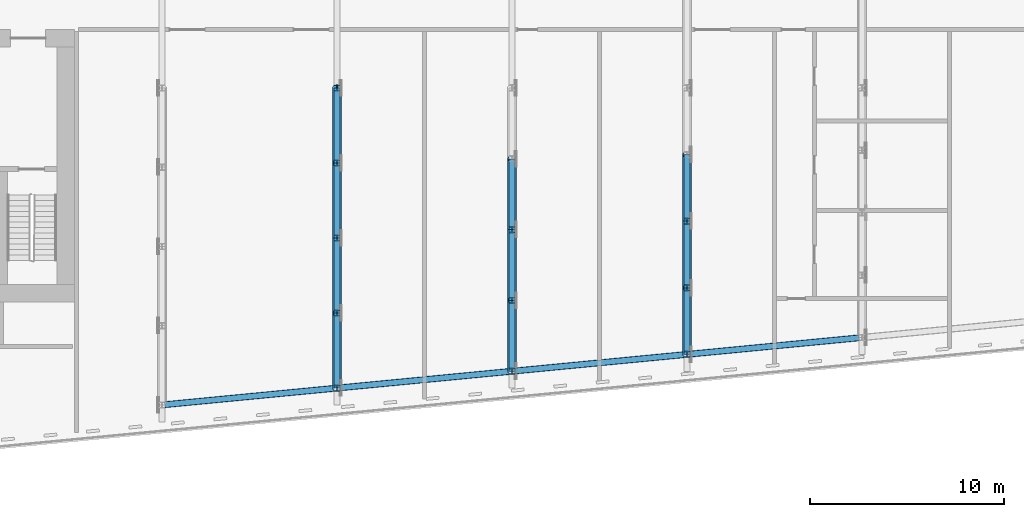
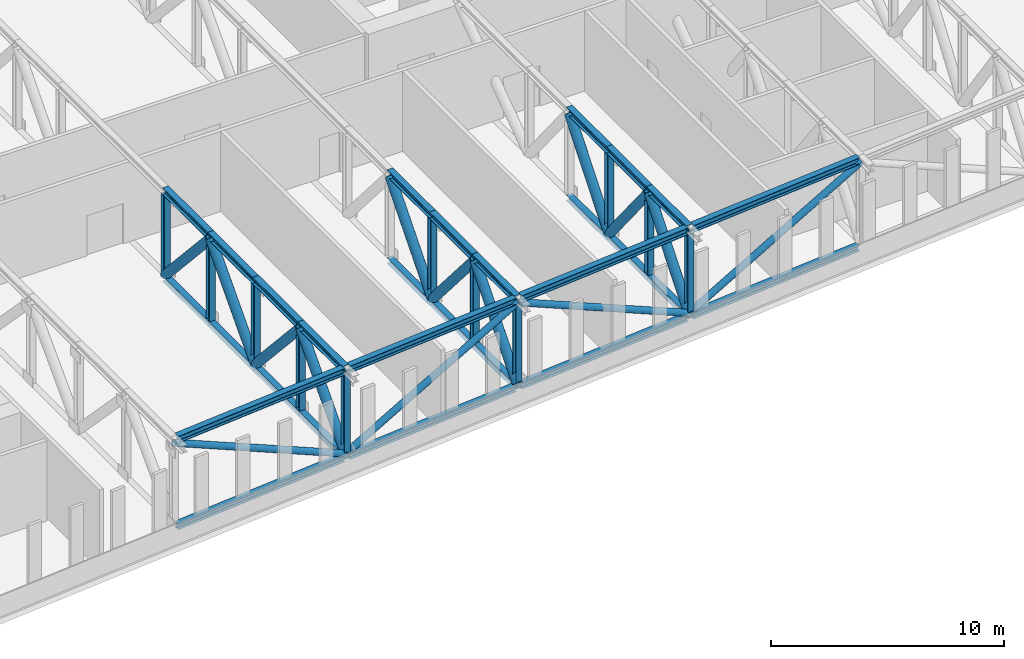
# One storey, part 2 of 22: 53 members.
"""IFC4 building model written with IfcOpenShell, lengths in metres."""

import ifcopenshell
import ifcopenshell.guid

model = None  # the IFC model being written
_history = None  # IfcOwnerHistory: only IFC2X3 demands one
_inside = {}  # id of a spatial element -> (the spatial element, [elements in it])
_under = {}  # id of a project, library or spatial element -> (it, [spatial elements below it])
_declared = {}  # id of a project -> (the project, [libraries it declares])
_typed = {}  # id of a type object -> (the type object, [elements of that type])
_made_of = {}  # id of a material, layer set ... -> (it, [elements and type objects made of it])


def new_model(schema):
    """Start an empty IFC model of exactly this schema.

    Asked for "IFC4X3", IfcOpenShell would pick the latest addendum, in which some entities
    have other attributes; the version numbers below select the first issue.
    IFC2X3 requires an IfcOwnerHistory on every rooted entity: one is made here for all.
    """
    global model, _history
    if schema == "IFC4X3":
        model = ifcopenshell.file(schema_version=(4, 3, 0, 0))
    else:
        model = ifcopenshell.file(schema=schema)
    _inside.clear()
    _under.clear()
    _declared.clear()
    _typed.clear()
    _made_of.clear()
    _history = None
    if model.schema == "IFC2X3":
        org = make("IfcOrganization", Name="unknown")
        user = make(
            "IfcPersonAndOrganization",
            ThePerson=make("IfcPerson", FamilyName="unknown"),
            TheOrganization=org,
        )
        app = make(
            "IfcApplication",
            ApplicationDeveloper=org,
            Version="unknown",
            ApplicationFullName="unknown",
            ApplicationIdentifier="unknown",
        )
        _history = make(
            "IfcOwnerHistory",
            OwningUser=user,
            OwningApplication=app,
            ChangeAction="ADDED",
            CreationDate=0,
        )
    return model


def make(cls, **values):
    """One entity of the class cls with the attributes given. An attribute that is None is left unset."""
    return model.create_entity(
        cls, **{name: value for name, value in values.items() if value is not None}
    )


def rooted(cls, **values):
    """An entity with a GlobalId (a new one), such as an element, a storey or a relation."""
    return make(cls, GlobalId=ifcopenshell.guid.new(), OwnerHistory=_history, **values)


def si_unit(unit_type, name, prefix=None):
    """IfcSIUnit, for example si_unit("LENGTHUNIT", "METRE", prefix="MILLI")."""
    return make("IfcSIUnit", UnitType=unit_type, Prefix=prefix, Name=name)


def assignment(units):
    """IfcUnitAssignment: the units of a project."""
    return None if units is None else make("IfcUnitAssignment", Units=units)


def point(xyz):
    """IfcCartesianPoint."""
    return None if xyz is None else make("IfcCartesianPoint", Coordinates=xyz)


def direction(xyz):
    """IfcDirection."""
    return None if xyz is None else make("IfcDirection", DirectionRatios=xyz)


def frame(location, z_axis=None, x_axis=None):
    """IfcAxis2Placement3D, a coordinate frame: its origin and axes. An axis left out is left unset."""
    return make(
        "IfcAxis2Placement3D",
        Location=point(location),
        Axis=direction(z_axis),
        RefDirection=direction(x_axis),
    )


def frame_2d(location, x_axis=None):
    """IfcAxis2Placement2D, a coordinate frame in the plane: its origin and x axis."""
    return make(
        "IfcAxis2Placement2D", Location=point(location), RefDirection=direction(x_axis)
    )


def origin():
    """The frame at (0, 0, 0) with its axes left unset."""
    return frame((0.0, 0.0, 0.0))


def origin_2d():
    """The frame at (0, 0) in the plane with its x axis left unset."""
    return frame_2d((0.0, 0.0))


def place(relative_to, where):
    """IfcLocalPlacement: puts the frame where relative to a parent placement (None: the world)."""
    return make(
        "IfcLocalPlacement", PlacementRelTo=relative_to, RelativePlacement=where
    )


def context(
    kind, dimensions, precision=None, world=None, true_north=None, identifier=None
):
    """IfcGeometricRepresentationContext, for example the 3D "Model" context."""
    return make(
        "IfcGeometricRepresentationContext",
        ContextIdentifier=identifier,
        ContextType=kind,
        CoordinateSpaceDimension=dimensions,
        Precision=precision,
        WorldCoordinateSystem=world,
        TrueNorth=true_north,
    )


def subcontext(parent, identifier, kind, view, scale=None):
    """IfcGeometricRepresentationSubContext, for example "Body" below "Model"."""
    return make(
        "IfcGeometricRepresentationSubContext",
        ContextIdentifier=identifier,
        ContextType=kind,
        ParentContext=parent,
        TargetScale=scale,
        TargetView=view,
    )


def project(units=None, contexts=None):
    """IfcProject with its units and contexts."""
    return rooted(
        "IfcProject",
        Name="project",
        RepresentationContexts=contexts,
        UnitsInContext=assignment(units),
    )


def spatial(cls, under=None, at=None, **own):
    """A site, building, storey or space (cls), placed at a placement, below another one or the project."""
    s = rooted(cls, ObjectPlacement=at, **own)
    if under is not None:
        _under.setdefault(under.id(), (under, []))[1].append(s)
    return s


def profile(cls, at=None, kind="AREA", **sizes):
    """A parametric profile (cls). Its sizes go by their IFC names, for example OverallWidth=200.0."""
    return make(cls, ProfileType=kind, Position=at, **sizes)


def hollow_circle(**sizes):
    """IfcCircleHollowProfileDef."""
    return profile("IfcCircleHollowProfileDef", **sizes)


def i_section(**sizes):
    """IfcIShapeProfileDef."""
    return profile("IfcIShapeProfileDef", **sizes)


def extrude(swept, where, along, depth):
    """IfcExtrudedAreaSolid: the profile swept, set in the frame where, extruded along a direction by depth."""
    return make(
        "IfcExtrudedAreaSolid",
        SweptArea=swept,
        Position=where,
        ExtrudedDirection=direction(along),
        Depth=depth,
    )


def shape(context_of_items, identifier, shape_type, items):
    """IfcShapeRepresentation: the items that make up one representation, for example the "Body"."""
    return make(
        "IfcShapeRepresentation",
        ContextOfItems=context_of_items,
        RepresentationIdentifier=identifier,
        RepresentationType=shape_type,
        Items=items,
    )


def material(Name=None, Category=None):
    """IfcMaterial."""
    return make("IfcMaterial", Name=Name, Category=Category)


def material_profile(
    of_material, cross_section, Name=None, Category=None, Priority=None
):
    """IfcMaterialProfile: a cross section and its material."""
    return make(
        "IfcMaterialProfile",
        Name=Name,
        Material=of_material,
        Profile=cross_section,
        Priority=Priority,
        Category=Category,
    )


def profile_set(profiles, Name=None, composite=None):
    """IfcMaterialProfileSet."""
    return make(
        "IfcMaterialProfileSet",
        Name=Name,
        MaterialProfiles=profiles,
        CompositeProfile=composite,
    )


def made_of(thing, what):
    """Note that an element or type object is made of a material, layer set ...; save() writes the relation."""
    if what is not None:
        _made_of.setdefault(what.id(), (what, []))[1].append(thing)
    return thing


def type_object(cls, material=None, **own):
    """A type object (cls), such as IfcWallType, which elements share."""
    return made_of(rooted(cls, **own), material)


def element(
    cls,
    number,
    at=None,
    inside=None,
    cuts=None,
    type_object=None,
    material=None,
    context=None,
    identifier="Body",
    shape_type=None,
    held_by="IfcProductDefinitionShape",
    body=None,
    shapes=None,
    **own,
):
    """One element of the class cls, such as IfcWall. Its Tag is "e" and its number.

    at: its placement. inside: the storey or other place that contains it. cuts: it is an
    opening in that element (IfcRelVoidsElement). A single representation is given by context,
    identifier, shape_type and body (its items); several are given by shapes. held_by: the class
    of the entity that holds the representations. save() writes the other relations.
    """
    e = rooted(cls, Tag="e%d" % number, ObjectPlacement=at, **own)
    if body is not None:
        shapes = [shape(context, identifier, shape_type, body)]
    if shapes is not None:
        e.Representation = make(held_by, Representations=shapes)
    if inside is not None:
        _inside.setdefault(inside.id(), (inside, []))[1].append(e)
    if cuts is not None:
        rooted(
            "IfcRelVoidsElement", RelatingBuildingElement=cuts, RelatedOpeningElement=e
        )
    if type_object is not None:
        _typed.setdefault(type_object.id(), (type_object, []))[1].append(e)
    return made_of(e, material)


def aggregate(whole, parts):
    """IfcRelAggregates: a whole, such as a stair, and the parts it consists of."""
    return rooted("IfcRelAggregates", RelatingObject=whole, RelatedObjects=parts)


def save(model, path):
    """Write the relations noted so far, then the file.

    IfcRelAggregates (storeys below a building ...), IfcRelContainedInSpatialStructure (elements
    in a storey), IfcRelDefinesByType, IfcRelAssociatesMaterial and IfcRelDeclares: one each for
    every whole, place, type object, material and project.
    """
    for whole, parts in _under.values():
        aggregate(whole, parts)
    for where, things in _inside.values():
        rooted(
            "IfcRelContainedInSpatialStructure",
            RelatedElements=things,
            RelatingStructure=where,
        )
    for kind, things in _typed.values():
        rooted("IfcRelDefinesByType", RelatedObjects=things, RelatingType=kind)
    for what, things in _made_of.values():
        rooted("IfcRelAssociatesMaterial", RelatedObjects=things, RelatingMaterial=what)
    for by, libraries in _declared.values():
        rooted("IfcRelDeclares", RelatingContext=by, RelatedDefinitions=libraries)
    model.write(path)


model = new_model("IFC4")

# Units and contexts
model_context = context("Model", 3, precision=1e-05, world=origin(), true_north=direction((0.0, 1.0)))
body_context = subcontext(model_context, "Body", "Model", "MODEL_VIEW")
ifc_project = project(units=[si_unit("LENGTHUNIT", "METRE"), si_unit("AREAUNIT", "SQUARE_METRE"), si_unit("VOLUMEUNIT", "CUBIC_METRE"), si_unit("PLANEANGLEUNIT", "RADIAN"), si_unit("MASSUNIT", "GRAM", prefix="KILO")], contexts=[model_context])

# Site, building, storey
site_placement = place(None, origin())
site = spatial("IfcSite", under=ifc_project, at=site_placement, CompositionType="ELEMENT")
building_placement = place(site_placement, origin())
building = spatial("IfcBuilding", under=site, at=building_placement, Name="Kajstack Hotel Tower", CompositionType="ELEMENT")
storey_placement = place(building_placement, frame((0.0, 0.0, 150.39990234375)))
storey = spatial("IfcBuildingStorey", under=building, at=storey_placement, Name="L35", CompositionType="ELEMENT", Elevation=150.39990234375)

# Members
ifc_material = material(Name="Steel S355J2", Category="steel")
ifc_material_profile_1 = material_profile(ifc_material, i_section(OverallWidth=0.300048828125, OverallDepth=0.2900390625, WebThickness=0.008544921875, FlangeThickness=0.013916015625, FilletRadius=0.027099609375, at=origin_2d()), Name="HEA 300")
ifc_profile_set_1 = profile_set([ifc_material_profile_1], Name="Steel S355J2")
member_type_1 = type_object("IfcMemberType", Name="Belt truss bottom chord BB3 HEA 300", PredefinedType="CHORD", material=ifc_profile_set_1)
for number, where, z_axis, x_axis, name in (
    (1, (-8.8505859375, -20.78466796875, -0.14501953125), (0.995398174412, 0.095825228294, 0.0), (-0.095825228294, 0.995398174412, 0.0), "S-belt-truss-L35-s04-b"),
    (2, (0.1494140625, -19.918212890625, -0.14501953125), (0.995395510024, 0.095852900965, 0.0), (-0.095852900965, 0.995395510024, 0.0), "S-belt-truss-L35-s05-b"),
    (3, (9.1494140625, -19.051513671875, -0.14501953125), (0.995395510024, 0.095852900965, 0.0), (-0.095852900965, 0.995395510024, 0.0), "S-belt-truss-L35-s06-b"),
    (4, (18.1494140625, -18.184814453125, -0.14501953125), (0.995398174412, 0.095825228294, 0.0), (-0.095825228294, 0.995398174412, 0.0), "S-belt-truss-L35-s07-b"),
):
    element("IfcMember", number, at=place(storey_placement, frame(where, z_axis=z_axis, x_axis=x_axis)), inside=storey, type_object=member_type_1, Name=name, PredefinedType="CHORD", context=body_context, shape_type="SweptSolid", body=[
        extrude(i_section(OverallWidth=0.300048828125, OverallDepth=0.2900390625, WebThickness=0.008544921875, FlangeThickness=0.013916015625, FilletRadius=0.027099609375, at=origin_2d()), origin(), (0.0, 0.0, 1.0), 8.741455078125),
    ])
ifc_material_profile_2 = material_profile(ifc_material, i_section(OverallWidth=0.300048828125, OverallDepth=0.2900390625, WebThickness=0.008544921875, FlangeThickness=0.013916015625, FilletRadius=0.027099609375, at=origin_2d()), Name="HEA 300")
ifc_profile_set_2 = profile_set([ifc_material_profile_2], Name="Steel S355J2")
member_type_2 = type_object("IfcMemberType", Name="Belt truss bottom chord BC3 HEA 300", PredefinedType="CHORD", material=ifc_profile_set_2)
for number, where, z_axis, x_axis, name in (
    (5, (0.0, -19.9326171875, -0.14501953125), (0.0, 1.0, 0.0), (-1.0, 0.0, 0.0), "S-belt-truss-L35-+0p0-1-bc12"),
    (6, (0.0, -16.074462890625, -0.14501953125), (0.0, 1.0, 0.0), (-1.0, 0.0, 0.0), "S-belt-truss-L35-+0p0-1-bc13"),
    (7, (0.0, -12.21630859375, -0.14501953125), (0.0, 1.0, 0.0), (-1.0, 0.0, 0.0), "S-belt-truss-L35-+0p0-1-bc14"),
    (8, (0.0, -8.358154296875, -0.14501953125), (0.0, 1.0, 0.0), (-1.0, 0.0, 0.0), "S-belt-truss-L35-+0p0-1-bc15"),
):
    element("IfcMember", number, at=place(storey_placement, frame(where, z_axis=z_axis, x_axis=x_axis)), inside=storey, type_object=member_type_2, Name=name, PredefinedType="CHORD", context=body_context, shape_type="SweptSolid", body=[
        extrude(i_section(OverallWidth=0.300048828125, OverallDepth=0.2900390625, WebThickness=0.008544921875, FlangeThickness=0.013916015625, FilletRadius=0.027099609375, at=origin_2d()), origin(), (0.0, 0.0, 1.0), 3.858154296875),
    ])
member_1_placement = place(storey_placement, frame((9.0, -19.06591796875, -0.14501953125), z_axis=(0.0, 1.0, 0.0), x_axis=(-1.0, 0.0, 0.0)))
element("IfcMember", 9, at=member_1_placement, inside=storey, type_object=member_type_2, Name="S-belt-truss-L35-+9p0-1-bc12", PredefinedType="CHORD", context=body_context, shape_type="SweptSolid", body=[
    extrude(i_section(OverallWidth=0.300048828125, OverallDepth=0.2900390625, WebThickness=0.008544921875, FlangeThickness=0.013916015625, FilletRadius=0.027099609375, at=origin_2d()), origin(), (0.0, 0.0, 1.0), 3.6416015625),
])
for number, where, z_axis, x_axis, name in (
    (10, (9.0, -15.42431640625, -0.14501953125), (0.0, 1.0, 0.0), (-1.0, 0.0, 0.0), "S-belt-truss-L35-+9p0-1-bc13"),
    (11, (9.0, -11.782958984375, -0.14501953125), (0.0, 1.0, 0.0), (-1.0, 0.0, 0.0), "S-belt-truss-L35-+9p0-1-bc14"),
):
    element("IfcMember", number, at=place(storey_placement, frame(where, z_axis=z_axis, x_axis=x_axis)), inside=storey, type_object=member_type_2, Name=name, PredefinedType="CHORD", context=body_context, shape_type="SweptSolid", body=[
        extrude(i_section(OverallWidth=0.300048828125, OverallDepth=0.2900390625, WebThickness=0.008544921875, FlangeThickness=0.013916015625, FilletRadius=0.027099609375, at=origin_2d()), origin(), (0.0, 0.0, 1.0), 3.641357421875),
    ])
for number, where, z_axis, x_axis, name in (
    (12, (18.0, -18.19921875, -0.14501953125), (0.0, 1.0, 0.0), (-1.0, 0.0, 0.0), "S-outrigger-truss-L35-+18p0-1-bc7"),
    (13, (18.0, -14.7744140625, -0.14501953125), (0.0, 1.0, 0.0), (-1.0, 0.0, 0.0), "S-outrigger-truss-L35-+18p0-1-bc8"),
    (14, (18.0, -11.349609375, -0.14501953125), (0.0, 1.0, 0.0), (-1.0, 0.0, 0.0), "S-outrigger-truss-L35-+18p0-1-bc9"),
):
    element("IfcMember", number, at=place(storey_placement, frame(where, z_axis=z_axis, x_axis=x_axis)), inside=storey, type_object=member_type_2, Name=name, PredefinedType="CHORD", context=body_context, shape_type="SweptSolid", body=[
        extrude(i_section(OverallWidth=0.300048828125, OverallDepth=0.2900390625, WebThickness=0.008544921875, FlangeThickness=0.013916015625, FilletRadius=0.027099609375, at=origin_2d()), origin(), (0.0, 0.0, 1.0), 3.4248046875),
    ])
ifc_material_profile_3 = material_profile(ifc_material, hollow_circle(Radius=0.161865234375, WallThickness=0.012451171875, at=origin_2d()), Name="CHS 323.9x12.5")
ifc_profile_set_3 = profile_set([ifc_material_profile_3], Name="Steel S355J2")
member_type_3 = type_object("IfcMemberType", Name="Belt truss diagonal BD3 CHS 323.9x12.5", PredefinedType="BRACE", material=ifc_profile_set_3)
for number, where, z_axis, x_axis, name in (
    (15, (0.0, -19.9326171875, 0.0), (-0.901225320661, -0.086763472847, 0.424576284286), (0.095829714309, -0.995397742541, 0.0), "S-belt-truss-L35-s04-d"),
    (16, (0.0, -19.9326171875, 0.0), (0.90122340878, 0.086787736034, 0.42457538358), (-0.095856468129, 0.995395166513, 0.0), "S-belt-truss-L35-s05-d"),
    (17, (18.0, -18.19921875, 0.0), (-0.90122340878, -0.086787736034, 0.42457538358), (0.095856468129, -0.995395166513, 0.0), "S-belt-truss-L35-s06-d"),
    (18, (18.0, -18.19921875, 0.0), (0.901225320661, 0.086763472847, 0.424576284286), (-0.095829714309, 0.995397742541, 0.0), "S-belt-truss-L35-s07-d"),
):
    element("IfcMember", number, at=place(storey_placement, frame(where, z_axis=z_axis, x_axis=x_axis)), inside=storey, type_object=member_type_3, Name=name, PredefinedType="BRACE", context=body_context, shape_type="SweptSolid", body=[
        extrude(hollow_circle(Radius=0.161865234375, WallThickness=0.012451171875, at=origin_2d()), origin(), (0.0, 0.0, 1.0), 9.986328125),
    ])
ifc_material_profile_4 = material_profile(ifc_material, hollow_circle(Radius=0.228515625, WallThickness=0.02001953125, at=origin_2d()), Name="CHS 457x20")
ifc_profile_set_4 = profile_set([ifc_material_profile_4], Name="Steel S355J2")
member_type_4 = type_object("IfcMemberType", Name="Belt truss diagonal DG3 CHS 457x20", PredefinedType="BRACE", material=ifc_profile_set_4)
for number, where, z_axis, x_axis, name in (
    (19, (0.0, -19.9326171875, 0.0), (0.0, 0.673018242345, 0.739625882099), (-1.0, 0.0, 0.0), "S-belt-truss-L35-+0p0-1-dg33"),
    (20, (0.0, -12.21630859375, 0.0), (0.0, -0.673018242345, 0.739625882099), (1.0, 0.0, 0.0), "S-belt-truss-L35-+0p0-1-dg34"),
    (21, (0.0, -12.21630859375, 0.0), (0.0, 0.673018242345, 0.739625882099), (-1.0, 0.0, 0.0), "S-belt-truss-L35-+0p0-1-dg35"),
    (22, (0.0, -4.5, 0.0), (0.0, -0.673018242345, 0.739625882099), (1.0, 0.0, 0.0), "S-belt-truss-L35-+0p0-1-dg36"),
):
    element("IfcMember", number, at=place(storey_placement, frame(where, z_axis=z_axis, x_axis=x_axis)), inside=storey, type_object=member_type_4, Name=name, PredefinedType="BRACE", context=body_context, shape_type="SweptSolid", body=[
        extrude(hollow_circle(Radius=0.228515625, WallThickness=0.02001953125, at=origin_2d()), origin(), (0.0, 0.0, 1.0), 5.732666015625),
    ])
for number, where, z_axis, x_axis, name in (
    (23, (9.0, -19.06591796875, 0.0), (0.0, 0.651546476478, 0.758608719294), (-1.0, 0.0, 0.0), "S-belt-truss-L35-+9p0-1-dg33"),
    (24, (9.0, -11.782958984375, 0.0), (0.0, -0.651521337523, 0.758630309672), (1.0, 0.0, 0.0), "S-belt-truss-L35-+9p0-1-dg34"),
    (25, (9.0, -11.782958984375, 0.0), (0.0, 0.651521337523, 0.758630309672), (-1.0, 0.0, 0.0), "S-belt-truss-L35-+9p0-1-dg35"),
):
    element("IfcMember", number, at=place(storey_placement, frame(where, z_axis=z_axis, x_axis=x_axis)), inside=storey, type_object=member_type_4, Name=name, PredefinedType="BRACE", context=body_context, shape_type="SweptSolid", body=[
        extrude(hollow_circle(Radius=0.228515625, WallThickness=0.02001953125, at=origin_2d()), origin(), (0.0, 0.0, 1.0), 5.589111328125),
    ])
for number, where, z_axis, x_axis, name in (
    (26, (18.0, -18.19921875, 0.0), (0.0, 0.628359002172, 0.777923495204), (-1.0, 0.0, 0.0), "S-outrigger-truss-L35-+18p0-1-dg17"),
    (27, (18.0, -11.349609375, 0.0), (0.0, -0.628359002172, 0.777923495204), (1.0, 0.0, 0.0), "S-outrigger-truss-L35-+18p0-1-dg18"),
    (28, (18.0, -11.349609375, 0.0), (0.0, 0.628359002172, 0.777923495204), (-1.0, 0.0, 0.0), "S-outrigger-truss-L35-+18p0-1-dg19"),
):
    element("IfcMember", number, at=place(storey_placement, frame(where, z_axis=z_axis, x_axis=x_axis)), inside=storey, type_object=member_type_4, Name=name, PredefinedType="BRACE", context=body_context, shape_type="SweptSolid", body=[
        extrude(hollow_circle(Radius=0.228515625, WallThickness=0.02001953125, at=origin_2d()), origin(), (0.0, 0.0, 1.0), 5.450439453125),
    ])
ifc_material_profile_5 = material_profile(ifc_material, i_section(OverallWidth=0.300048828125, OverallDepth=0.300048828125, WebThickness=0.010986328125, FlangeThickness=0.01904296875, FilletRadius=0.027099609375, at=origin_2d()), Name="HEB 300")
ifc_profile_set_5 = profile_set([ifc_material_profile_5], Name="Steel S355J2")
member_type_5 = type_object("IfcMemberType", Name="Belt truss post PO3 HEB 300", PredefinedType="POST", material=ifc_profile_set_5)
for number, where, z_axis, x_axis, name in (
    (29, (0.0, -19.9326171875, 0.0), (0.0, 0.0, 1.0), (1.0, 0.0, 0.0), "S-belt-truss-L35-+0p0-1-po22"),
    (30, (0.0, -16.074462890625, 0.0), (0.0, 0.0, 1.0), (1.0, 0.0, 0.0), "S-belt-truss-L35-+0p0-1-po23"),
    (31, (0.0, -12.21630859375, 0.0), (0.0, 0.0, 1.0), (1.0, 0.0, 0.0), "S-belt-truss-L35-+0p0-1-po24"),
    (32, (0.0, -8.358154296875, 0.0), (0.0, 0.0, 1.0), (1.0, 0.0, 0.0), "S-belt-truss-L35-+0p0-1-po25"),
    (33, (0.0, -4.5, 0.0), (0.0, 0.0, 1.0), (1.0, 0.0, 0.0), "S-belt-truss-L35-+0p0-1-po26"),
    (34, (9.0, -19.06591796875, 0.0), (0.0, 0.0, 1.0), (1.0, 0.0, 0.0), "S-belt-truss-L35-+9p0-1-po22"),
    (35, (9.0, -15.42431640625, 0.0), (0.0, 0.0, 1.0), (1.0, 0.0, 0.0), "S-belt-truss-L35-+9p0-1-po23"),
    (36, (9.0, -11.782958984375, 0.0), (0.0, 0.0, 1.0), (1.0, 0.0, 0.0), "S-belt-truss-L35-+9p0-1-po24"),
    (37, (18.0, -18.19921875, 0.0), (0.0, 0.0, 1.0), (1.0, 0.0, 0.0), "S-outrigger-truss-L35-+18p0-1-po12"),
    (38, (18.0, -14.7744140625, 0.0), (0.0, 0.0, 1.0), (1.0, 0.0, 0.0), "S-outrigger-truss-L35-+18p0-1-po13"),
    (39, (18.0, -11.349609375, 0.0), (0.0, 0.0, 1.0), (1.0, 0.0, 0.0), "S-outrigger-truss-L35-+18p0-1-po14"),
):
    element("IfcMember", number, at=place(storey_placement, frame(where, z_axis=z_axis, x_axis=x_axis)), inside=storey, type_object=member_type_5, Name=name, PredefinedType="POST", context=body_context, shape_type="SweptSolid", body=[
        extrude(i_section(OverallWidth=0.300048828125, OverallDepth=0.300048828125, WebThickness=0.010986328125, FlangeThickness=0.01904296875, FilletRadius=0.027099609375, at=origin_2d()), origin(), (0.0, 0.0, 1.0), 4.239990234375),
    ])
ifc_material_profile_6 = material_profile(ifc_material, i_section(OverallWidth=0.300048828125, OverallDepth=0.360107421875, WebThickness=0.012451171875, FlangeThickness=0.0224609375, FilletRadius=0.027099609375, at=origin_2d()), Name="HEB 360")
ifc_profile_set_6 = profile_set([ifc_material_profile_6], Name="Steel S355J2")
member_type_6 = type_object("IfcMemberType", Name="Belt truss top chord BT3 HEB 360", PredefinedType="CHORD", material=ifc_profile_set_6)
for number, where, z_axis, x_axis, name in (
    (40, (-8.8505859375, -20.78466796875, 4.420166015625), (0.995398174412, 0.095825228294, 0.0), (-0.095825228294, 0.995398174412, 0.0), "S-belt-truss-L35-s04-t"),
    (41, (0.1494140625, -19.918212890625, 4.420166015625), (0.995395510024, 0.095852900965, 0.0), (-0.095852900965, 0.995395510024, 0.0), "S-belt-truss-L35-s05-t"),
    (42, (9.1494140625, -19.051513671875, 4.420166015625), (0.995395510024, 0.095852900965, 0.0), (-0.095852900965, 0.995395510024, 0.0), "S-belt-truss-L35-s06-t"),
    (43, (18.1494140625, -18.184814453125, 4.420166015625), (0.995398174412, 0.095825228294, 0.0), (-0.095825228294, 0.995398174412, 0.0), "S-belt-truss-L35-s07-t"),
):
    element("IfcMember", number, at=place(storey_placement, frame(where, z_axis=z_axis, x_axis=x_axis)), inside=storey, type_object=member_type_6, Name=name, PredefinedType="CHORD", context=body_context, shape_type="SweptSolid", body=[
        extrude(i_section(OverallWidth=0.300048828125, OverallDepth=0.360107421875, WebThickness=0.012451171875, FlangeThickness=0.0224609375, FilletRadius=0.027099609375, at=origin_2d()), origin(), (0.0, 0.0, 1.0), 8.741455078125),
    ])
ifc_material_profile_7 = material_profile(ifc_material, i_section(OverallWidth=0.300048828125, OverallDepth=0.360107421875, WebThickness=0.012451171875, FlangeThickness=0.0224609375, FilletRadius=0.027099609375, at=origin_2d()), Name="HEB 360")
ifc_profile_set_7 = profile_set([ifc_material_profile_7], Name="Steel S355J2")
member_type_7 = type_object("IfcMemberType", Name="Belt truss top chord TC3 HEB 360", PredefinedType="CHORD", material=ifc_profile_set_7)
for number, where, z_axis, x_axis, name in (
    (44, (0.0, -19.9326171875, 4.420166015625), (0.0, 1.0, 0.0), (-1.0, 0.0, 0.0), "S-belt-truss-L35-+0p0-1-tc2"),
    (45, (0.0, -16.074462890625, 4.420166015625), (0.0, 1.0, 0.0), (-1.0, 0.0, 0.0), "S-belt-truss-L35-+0p0-1-tc3"),
    (46, (0.0, -12.21630859375, 4.420166015625), (0.0, 1.0, 0.0), (-1.0, 0.0, 0.0), "S-belt-truss-L35-+0p0-1-tc4"),
    (47, (0.0, -8.358154296875, 4.420166015625), (0.0, 1.0, 0.0), (-1.0, 0.0, 0.0), "S-belt-truss-L35-+0p0-1-tc5"),
):
    element("IfcMember", number, at=place(storey_placement, frame(where, z_axis=z_axis, x_axis=x_axis)), inside=storey, type_object=member_type_7, Name=name, PredefinedType="CHORD", context=body_context, shape_type="SweptSolid", body=[
        extrude(i_section(OverallWidth=0.300048828125, OverallDepth=0.360107421875, WebThickness=0.012451171875, FlangeThickness=0.0224609375, FilletRadius=0.027099609375, at=origin_2d()), origin(), (0.0, 0.0, 1.0), 3.858154296875),
    ])
member_2_placement = place(storey_placement, frame((9.0, -19.06591796875, 4.420166015625), z_axis=(0.0, 1.0, 0.0), x_axis=(-1.0, 0.0, 0.0)))
element("IfcMember", 48, at=member_2_placement, inside=storey, type_object=member_type_7, Name="S-belt-truss-L35-+9p0-1-tc2", PredefinedType="CHORD", context=body_context, shape_type="SweptSolid", body=[
    extrude(i_section(OverallWidth=0.300048828125, OverallDepth=0.360107421875, WebThickness=0.012451171875, FlangeThickness=0.0224609375, FilletRadius=0.027099609375, at=origin_2d()), origin(), (0.0, 0.0, 1.0), 3.6416015625),
])
for number, where, z_axis, x_axis, name in (
    (49, (9.0, -15.42431640625, 4.420166015625), (0.0, 1.0, 0.0), (-1.0, 0.0, 0.0), "S-belt-truss-L35-+9p0-1-tc3"),
    (50, (9.0, -11.782958984375, 4.420166015625), (0.0, 1.0, 0.0), (-1.0, 0.0, 0.0), "S-belt-truss-L35-+9p0-1-tc4"),
):
    element("IfcMember", number, at=place(storey_placement, frame(where, z_axis=z_axis, x_axis=x_axis)), inside=storey, type_object=member_type_7, Name=name, PredefinedType="CHORD", context=body_context, shape_type="SweptSolid", body=[
        extrude(i_section(OverallWidth=0.300048828125, OverallDepth=0.360107421875, WebThickness=0.012451171875, FlangeThickness=0.0224609375, FilletRadius=0.027099609375, at=origin_2d()), origin(), (0.0, 0.0, 1.0), 3.641357421875),
    ])
for number, where, z_axis, x_axis, name in (
    (51, (18.0, -18.19921875, 4.420166015625), (0.0, 1.0, 0.0), (-1.0, 0.0, 0.0), "S-outrigger-truss-L35-+18p0-1-tc2"),
    (52, (18.0, -14.7744140625, 4.420166015625), (0.0, 1.0, 0.0), (-1.0, 0.0, 0.0), "S-outrigger-truss-L35-+18p0-1-tc3"),
    (53, (18.0, -11.349609375, 4.420166015625), (0.0, 1.0, 0.0), (-1.0, 0.0, 0.0), "S-outrigger-truss-L35-+18p0-1-tc4"),
):
    element("IfcMember", number, at=place(storey_placement, frame(where, z_axis=z_axis, x_axis=x_axis)), inside=storey, type_object=member_type_7, Name=name, PredefinedType="CHORD", context=body_context, shape_type="SweptSolid", body=[
        extrude(i_section(OverallWidth=0.300048828125, OverallDepth=0.360107421875, WebThickness=0.012451171875, FlangeThickness=0.0224609375, FilletRadius=0.027099609375, at=origin_2d()), origin(), (0.0, 0.0, 1.0), 3.4248046875),
    ])

save(model, "model.ifc")
